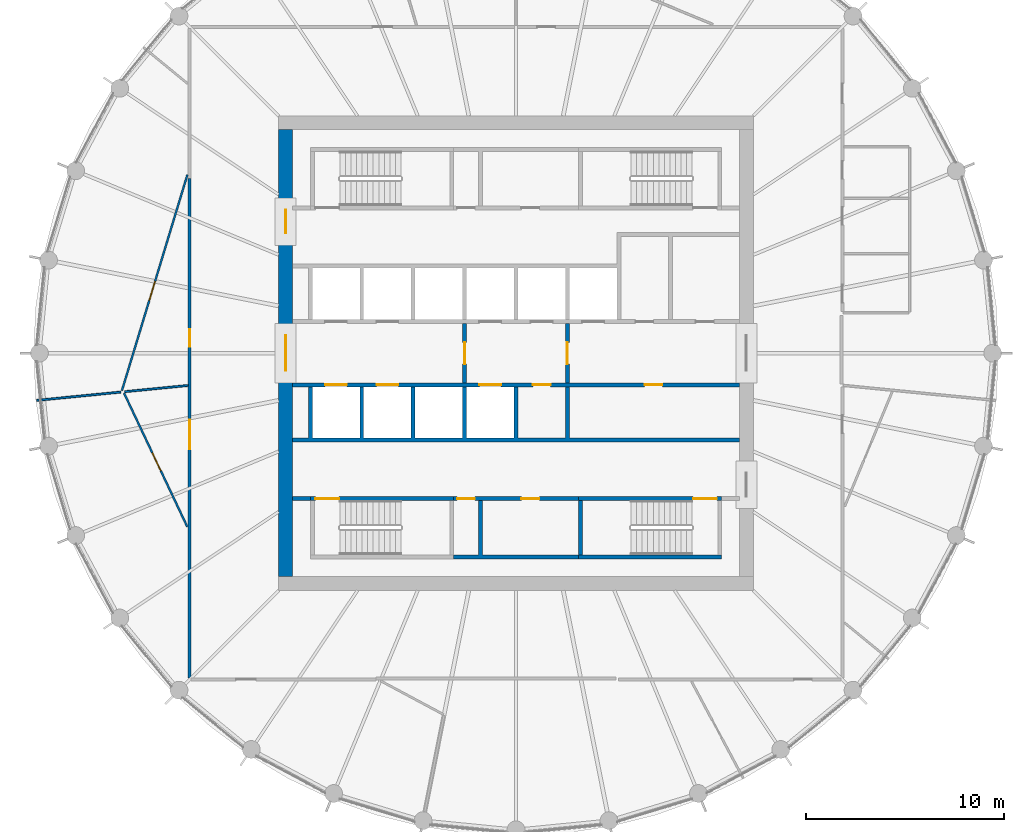
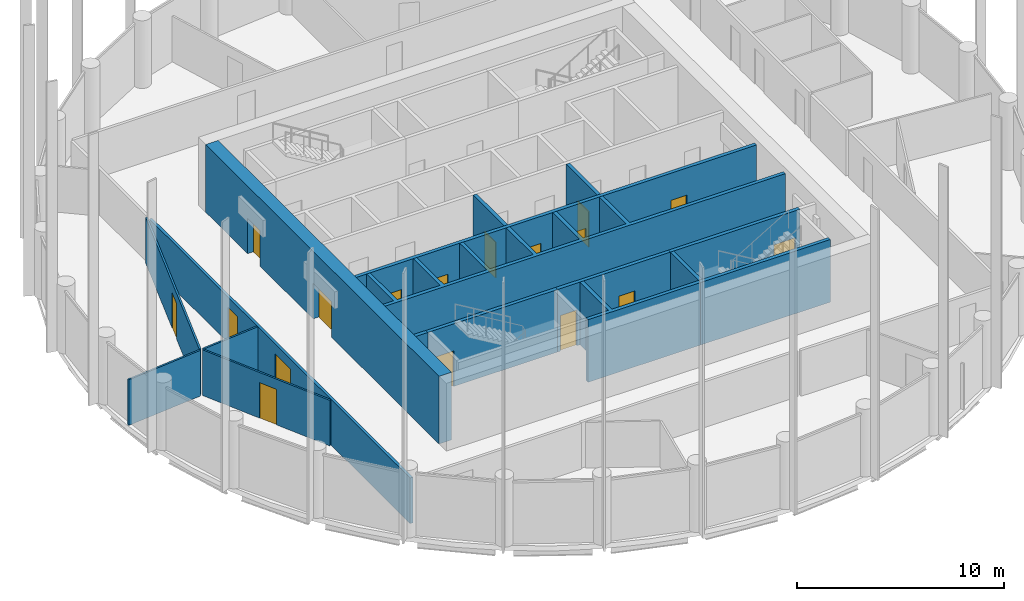
# One storey, part 4 of 7: 17 doors, 17 walls, 17 openings.
"""IFC4 building model written with IfcOpenShell, lengths in metres."""

from ifc_helpers import new_model, si_unit, direction, frame, frame_2d, origin, place, context, subcontext, project, spatial, polyline, rectangle, outline, extrude, material, layer, layer_set, type_object, element, fill, save


model = new_model("IFC4")

# Units and contexts
model_context = context("Model", 3, precision=1e-05, world=origin(), true_north=direction((0.0, 1.0)))
body_context = subcontext(model_context, "Body", "Model", "MODEL_VIEW")
ifc_project = project(units=[si_unit("LENGTHUNIT", "METRE"), si_unit("AREAUNIT", "SQUARE_METRE"), si_unit("VOLUMEUNIT", "CUBIC_METRE"), si_unit("PLANEANGLEUNIT", "RADIAN"), si_unit("MASSUNIT", "GRAM", prefix="KILO")], contexts=[model_context])

# Site, building, storey
site_placement = place(None, origin())
site = spatial("IfcSite", under=ifc_project, at=site_placement, CompositionType="ELEMENT")
building_placement = place(site_placement, origin())
building = spatial("IfcBuilding", under=site, at=building_placement, Name="Corvane Civic Tower", CompositionType="ELEMENT")
storey_placement = place(building_placement, frame((0.0, 0.0, 279.0)))
storey = spatial("IfcBuildingStorey", under=building, at=storey_placement, Name="L66", CompositionType="ELEMENT", Elevation=279.0)

# Wall, openings, doors
ifc_material_1 = material(Name="Concrete C40/50", Category="concrete")
ifc_layer_1 = layer(ifc_material_1, 0.699951171875)
ifc_layer_set_1 = layer_set([ifc_layer_1], Name="Concrete C40/50")
wall_type_1 = type_object("IfcWallType", Name="CORE WALL 700 C40/50", PredefinedType="SHEAR", material=ifc_layer_set_1)
wall_1_placement = place(storey_placement, frame((-11.64990234375, -11.300048828125, 0.0), z_axis=(0.0, 0.0, 1.0), x_axis=(0.0, 1.0, 0.0)))
wall_1 = element("IfcWall", 1, at=wall_1_placement, inside=storey, type_object=wall_type_1, Name="W-L66-core-W", PredefinedType="SHEAR", context=body_context, shape_type="SweptSolid", body=[
    extrude(rectangle(XDim=22.60009765625, YDim=0.699951171875, at=frame_2d((11.300048828125, 0.0))), origin(), (0.0, 0.0, 1.0), 4.0),
])
opening_1_placement = place(wall_1_placement, frame((10.39990234375, 0.0, 0.0)))
opening_1 = element("IfcOpeningElement", 2, at=opening_1_placement, cuts=wall_1, Name="Opening L66.C15", PredefinedType="OPENING", context=body_context, shape_type="SweptSolid", body=[
    extrude(rectangle(XDim=1.800048828125, YDim=2.10009765625, at=frame_2d((0.89990234375, 1.050048828125))), frame((0.0, 0.35986328125, 0.0), z_axis=(0.0, -1.0, 0.0), x_axis=(1.0, 0.0, 0.0)), (0.0, 0.0, 1.0), 0.719970703125),
])
opening_2_placement = place(wall_1_placement, frame((17.35009765625, 0.0, 0.0)))
opening_2 = element("IfcOpeningElement", 3, at=opening_2_placement, cuts=wall_1, Name="Opening L66.C17", PredefinedType="OPENING", context=body_context, shape_type="SweptSolid", body=[
    extrude(rectangle(XDim=1.199951171875, YDim=2.10009765625, at=frame_2d((0.60009765625, 1.050048828125))), frame((0.0, 0.35986328125, 0.0), z_axis=(0.0, -1.0, 0.0), x_axis=(1.0, 0.0, 0.0)), (0.0, 0.0, 1.0), 0.719970703125),
])
ifc_material_2 = material(Name="Steel fire door leaf", Category="steel")
door_type_1 = type_object("IfcDoorType", Name="CR-DOOR-CORE-1800", OperationType="DOUBLE_DOOR_SINGLE_SWING", PredefinedType="DOOR", material=ifc_material_2)
door_1_placement = place(opening_1_placement, origin())
door_1 = element("IfcDoor", 4, at=door_1_placement, inside=storey, type_object=door_type_1, Name="L66 door", OperationType="DOUBLE_DOOR_SINGLE_SWING", OverallHeight=2.10009765625, OverallWidth=1.800048828125, PredefinedType="DOOR", context=body_context, shape_type="SweptSolid", body=[
    extrude(rectangle(XDim=1.800048828125, YDim=2.10009765625, at=frame_2d((0.89990234375, 1.050048828125))), frame((0.0, 0.02490234375, 0.0), z_axis=(0.0, -1.0, 0.0), x_axis=(1.0, 0.0, 0.0)), (0.0, 0.0, 1.0), 0.050048828125),
])
fill(opening_1, door_1)
door_2_placement = place(opening_2_placement, origin())
door_2 = element("IfcDoor", 5, at=door_2_placement, inside=storey, type_object=door_type_1, Name="L66 door", OperationType="DOUBLE_DOOR_SINGLE_SWING", OverallHeight=2.10009765625, OverallWidth=1.199951171875, PredefinedType="DOOR", context=body_context, shape_type="SweptSolid", body=[
    extrude(rectangle(XDim=1.199951171875, YDim=2.10009765625, at=frame_2d((0.60009765625, 1.050048828125))), frame((0.0, 0.02490234375, 0.0), z_axis=(0.0, -1.0, 0.0), x_axis=(1.0, 0.0, 0.0)), (0.0, 0.0, 1.0), 0.050048828125),
])
fill(opening_2, door_2)

ifc_material_3 = material(Name="Concrete C30/37", Category="concrete")
ifc_layer_2 = layer(ifc_material_3, 0.199951171875)
ifc_layer_set_2 = layer_set([ifc_layer_2], Name="Concrete C30/37")
wall_type_2 = type_object("IfcWallType", Name="CR-WALL-200", PredefinedType="PARTITIONING", material=ifc_layer_set_2)
wall_2_placement = place(storey_placement, frame((-3.14990234375, -7.35009765625, 0.0), z_axis=(0.0, 0.0, 1.0), x_axis=(1.0, 0.0, 0.0)))
wall_2 = element("IfcWall", 6, at=wall_2_placement, inside=storey, type_object=wall_type_2, Name="L66 core partition wall", PredefinedType="PARTITIONING", context=body_context, shape_type="SweptSolid", body=[
    extrude(rectangle(XDim=6.2998046875, YDim=0.199951171875, at=frame_2d((3.14990234375, 0.0))), origin(), (0.0, 0.0, 1.0), 3.699951171875),
])
opening_3_placement = place(wall_2_placement, frame((0.175048828125, 0.0, 0.0)))
opening_3 = element("IfcOpeningElement", 7, at=opening_3_placement, cuts=wall_2, Name="Opening L66.C07", PredefinedType="OPENING", context=body_context, shape_type="SweptSolid", body=[
    extrude(rectangle(XDim=0.89990234375, YDim=2.10009765625, at=frame_2d((0.449951171875, 1.050048828125))), frame((0.0, 0.10986328125, 0.0), z_axis=(0.0, -1.0, 0.0), x_axis=(1.0, 0.0, 0.0)), (0.0, 0.0, 1.0), 0.219970703125),
])
opening_4_placement = place(wall_2_placement, frame((3.425048828125, 0.0, 0.0)))
opening_4 = element("IfcOpeningElement", 8, at=opening_4_placement, cuts=wall_2, Name="Opening L66.C08", PredefinedType="OPENING", context=body_context, shape_type="SweptSolid", body=[
    extrude(rectangle(XDim=0.89990234375, YDim=2.10009765625, at=frame_2d((0.449951171875, 1.050048828125))), frame((0.0, 0.10986328125, 0.0), z_axis=(0.0, -1.0, 0.0), x_axis=(1.0, 0.0, 0.0)), (0.0, 0.0, 1.0), 0.219970703125),
])
ifc_material_4 = material(Name="Steel fire door leaf", Category="steel")
door_type_2 = type_object("IfcDoorType", Name="CR-DOOR-900", OperationType="SINGLE_SWING_LEFT", PredefinedType="DOOR", material=ifc_material_4)
door_3_placement = place(opening_3_placement, origin())
door_3 = element("IfcDoor", 9, at=door_3_placement, inside=storey, type_object=door_type_2, Name="L66 door", OperationType="SINGLE_SWING_LEFT", OverallHeight=2.10009765625, OverallWidth=0.89990234375, PredefinedType="DOOR", context=body_context, shape_type="SweptSolid", body=[
    extrude(rectangle(XDim=0.89990234375, YDim=2.10009765625, at=frame_2d((0.449951171875, 1.050048828125))), frame((0.0, 0.02490234375, 0.0), z_axis=(0.0, -1.0, 0.0), x_axis=(1.0, 0.0, 0.0)), (0.0, 0.0, 1.0), 0.050048828125),
])
fill(opening_3, door_3)
door_4_placement = place(opening_4_placement, origin())
door_4 = element("IfcDoor", 10, at=door_4_placement, inside=storey, type_object=door_type_2, Name="L66 door", OperationType="SINGLE_SWING_LEFT", OverallHeight=2.10009765625, OverallWidth=0.89990234375, PredefinedType="DOOR", context=body_context, shape_type="SweptSolid", body=[
    extrude(rectangle(XDim=0.89990234375, YDim=2.10009765625, at=frame_2d((0.449951171875, 1.050048828125))), frame((0.0, 0.02490234375, 0.0), z_axis=(0.0, -1.0, 0.0), x_axis=(1.0, 0.0, 0.0)), (0.0, 0.0, 1.0), 0.050048828125),
])
fill(opening_4, door_4)

wall_3_placement = place(storey_placement, frame((-11.300048828125, -1.60009765625, 0.0), z_axis=(0.0, 0.0, 1.0), x_axis=(1.0, 0.0, 0.0)))
wall_3 = element("IfcWall", 11, at=wall_3_placement, inside=storey, type_object=wall_type_2, Name="L66 lift shaft wall", PredefinedType="PARTITIONING", context=body_context, shape_type="SweptSolid", body=[
    extrude(rectangle(XDim=22.60009765625, YDim=0.199951171875, at=frame_2d((11.300048828125, 0.0))), origin(), (0.0, 0.0, 1.0), 3.699951171875),
])
opening_5_placement = place(wall_3_placement, frame((1.64990234375, 0.0, 0.0)))
opening_5 = element("IfcOpeningElement", 12, at=opening_5_placement, cuts=wall_3, Name="Opening LD", PredefinedType="OPENING", context=body_context, shape_type="SweptSolid", body=[
    extrude(rectangle(XDim=1.10009765625, YDim=2.10009765625, at=frame_2d((0.550048828125, 1.050048828125))), frame((0.0, 0.10986328125, 0.0), z_axis=(0.0, -1.0, 0.0), x_axis=(1.0, 0.0, 0.0)), (0.0, 0.0, 1.0), 0.219970703125),
])
opening_6_placement = place(wall_3_placement, frame((4.25, 0.0, 0.0)))
opening_6 = element("IfcOpeningElement", 13, at=opening_6_placement, cuts=wall_3, Name="Opening LD", PredefinedType="OPENING", context=body_context, shape_type="SweptSolid", body=[
    extrude(rectangle(XDim=1.10009765625, YDim=2.10009765625, at=frame_2d((0.550048828125, 1.050048828125))), frame((0.0, 0.10986328125, 0.0), z_axis=(0.0, -1.0, 0.0), x_axis=(1.0, 0.0, 0.0)), (0.0, 0.0, 1.0), 0.219970703125),
])
opening_7_placement = place(wall_3_placement, frame((9.449951171875, 0.0, 0.0)))
opening_7 = element("IfcOpeningElement", 14, at=opening_7_placement, cuts=wall_3, Name="Opening LD", PredefinedType="OPENING", context=body_context, shape_type="SweptSolid", body=[
    extrude(rectangle(XDim=1.10009765625, YDim=2.10009765625, at=frame_2d((0.550048828125, 1.050048828125))), frame((0.0, 0.10986328125, 0.0), z_axis=(0.0, -1.0, 0.0), x_axis=(1.0, 0.0, 0.0)), (0.0, 0.0, 1.0), 0.219970703125),
])
opening_8_placement = place(wall_3_placement, frame((12.14990234375, 0.0, 0.0)))
opening_8 = element("IfcOpeningElement", 15, at=opening_8_placement, cuts=wall_3, Name="Opening L66.C03", PredefinedType="OPENING", context=body_context, shape_type="SweptSolid", body=[
    extrude(rectangle(XDim=0.89990234375, YDim=2.10009765625, at=frame_2d((0.449951171875, 1.050048828125))), frame((0.0, 0.10986328125, 0.0), z_axis=(0.0, -1.0, 0.0), x_axis=(1.0, 0.0, 0.0)), (0.0, 0.0, 1.0), 0.219970703125),
])
opening_9_placement = place(wall_3_placement, frame((17.800048828125, 0.0, 0.0)))
opening_9 = element("IfcOpeningElement", 16, at=opening_9_placement, cuts=wall_3, Name="Opening L66.C04", PredefinedType="OPENING", context=body_context, shape_type="SweptSolid", body=[
    extrude(rectangle(XDim=0.89990234375, YDim=2.10009765625, at=frame_2d((0.449951171875, 1.050048828125))), frame((0.0, 0.10986328125, 0.0), z_axis=(0.0, -1.0, 0.0), x_axis=(1.0, 0.0, 0.0)), (0.0, 0.0, 1.0), 0.219970703125),
])
door_5_placement = place(opening_8_placement, origin())
door_5 = element("IfcDoor", 17, at=door_5_placement, inside=storey, type_object=door_type_2, Name="L66 door", OperationType="SINGLE_SWING_LEFT", OverallHeight=2.10009765625, OverallWidth=0.89990234375, PredefinedType="DOOR", context=body_context, shape_type="SweptSolid", body=[
    extrude(rectangle(XDim=0.89990234375, YDim=2.10009765625, at=frame_2d((0.449951171875, 1.050048828125))), frame((0.0, 0.02490234375, 0.0), z_axis=(0.0, -1.0, 0.0), x_axis=(1.0, 0.0, 0.0)), (0.0, 0.0, 1.0), 0.050048828125),
])
fill(opening_8, door_5)
door_6_placement = place(opening_9_placement, origin())
door_6 = element("IfcDoor", 18, at=door_6_placement, inside=storey, type_object=door_type_2, Name="L66 door", OperationType="SINGLE_SWING_LEFT", OverallHeight=2.10009765625, OverallWidth=0.89990234375, PredefinedType="DOOR", context=body_context, shape_type="SweptSolid", body=[
    extrude(rectangle(XDim=0.89990234375, YDim=2.10009765625, at=frame_2d((0.449951171875, 1.050048828125))), frame((0.0, 0.02490234375, 0.0), z_axis=(0.0, -1.0, 0.0), x_axis=(1.0, 0.0, 0.0)), (0.0, 0.0, 1.0), 0.050048828125),
])
fill(opening_9, door_6)
ifc_material_5 = material(Name="Stainless steel 316 door leaves", Category="steel")
door_type_3 = type_object("IfcDoorType", Name="LD", OperationType="DOUBLE_DOOR_SLIDING", PredefinedType="DOOR", material=ifc_material_5)
door_7_placement = place(opening_5_placement, origin())
door_7 = element("IfcDoor", 19, at=door_7_placement, inside=storey, type_object=door_type_3, Name="L66 landing door", OperationType="DOUBLE_DOOR_SLIDING", OverallHeight=2.10009765625, OverallWidth=1.10009765625, PredefinedType="DOOR", context=body_context, shape_type="SweptSolid", body=[
    extrude(rectangle(XDim=1.10009765625, YDim=2.10009765625, at=frame_2d((0.550048828125, 1.050048828125))), frame((0.0, 0.02490234375, 0.0), z_axis=(0.0, -1.0, 0.0), x_axis=(1.0, 0.0, 0.0)), (0.0, 0.0, 1.0), 0.050048828125),
])
fill(opening_5, door_7)
door_8_placement = place(opening_6_placement, origin())
door_8 = element("IfcDoor", 20, at=door_8_placement, inside=storey, type_object=door_type_3, Name="L66 landing door", OperationType="DOUBLE_DOOR_SLIDING", OverallHeight=2.10009765625, OverallWidth=1.10009765625, PredefinedType="DOOR", context=body_context, shape_type="SweptSolid", body=[
    extrude(rectangle(XDim=1.10009765625, YDim=2.10009765625, at=frame_2d((0.550048828125, 1.050048828125))), frame((0.0, 0.02490234375, 0.0), z_axis=(0.0, -1.0, 0.0), x_axis=(1.0, 0.0, 0.0)), (0.0, 0.0, 1.0), 0.050048828125),
])
fill(opening_6, door_8)
door_9_placement = place(opening_7_placement, origin())
door_9 = element("IfcDoor", 21, at=door_9_placement, inside=storey, type_object=door_type_3, Name="L66 landing door", OperationType="DOUBLE_DOOR_SLIDING", OverallHeight=2.10009765625, OverallWidth=1.10009765625, PredefinedType="DOOR", context=body_context, shape_type="SweptSolid", body=[
    extrude(rectangle(XDim=1.10009765625, YDim=2.10009765625, at=frame_2d((0.550048828125, 1.050048828125))), frame((0.0, 0.02490234375, 0.0), z_axis=(0.0, -1.0, 0.0), x_axis=(1.0, 0.0, 0.0)), (0.0, 0.0, 1.0), 0.050048828125),
])
fill(opening_7, door_9)

# Wall, opening, door
wall_4_placement = place(storey_placement, frame((-2.60009765625, -1.5, 0.0), z_axis=(0.0, 0.0, 1.0), x_axis=(0.0, 1.0, 0.0)))
wall_4 = element("IfcWall", 22, at=wall_4_placement, inside=storey, type_object=wall_type_2, Name="L66 firefighting lobby wall", PredefinedType="PARTITIONING", context=body_context, shape_type="SweptSolid", body=[
    extrude(rectangle(XDim=3.0, YDim=0.199951171875, at=frame_2d((1.5, 0.0))), origin(), (0.0, 0.0, 1.0), 3.699951171875),
])
opening_10_placement = place(wall_4_placement, frame((0.949951171875, 0.0, 0.0)))
opening_10 = element("IfcOpeningElement", 23, at=opening_10_placement, cuts=wall_4, Name="Opening L66.C13", PredefinedType="OPENING", context=body_context, shape_type="SweptSolid", body=[
    extrude(rectangle(XDim=1.10009765625, YDim=2.10009765625, at=frame_2d((0.550048828125, 1.050048828125))), frame((0.0, 0.10986328125, 0.0), z_axis=(0.0, -1.0, 0.0), x_axis=(1.0, 0.0, 0.0)), (0.0, 0.0, 1.0), 0.219970703125),
])
ifc_material_6 = material(Name="Steel fire door leaf", Category="steel")
door_type_4 = type_object("IfcDoorType", Name="CR-DOOR-FFL-1100", OperationType="SINGLE_SWING_LEFT", PredefinedType="DOOR", material=ifc_material_6)
door_10_placement = place(opening_10_placement, origin())
door_10 = element("IfcDoor", 24, at=door_10_placement, inside=storey, type_object=door_type_4, Name="L66 lobby door", OperationType="SINGLE_SWING_LEFT", OverallHeight=2.10009765625, OverallWidth=1.10009765625, PredefinedType="DOOR", context=body_context, shape_type="SweptSolid", body=[
    extrude(rectangle(XDim=1.10009765625, YDim=2.10009765625, at=frame_2d((0.550048828125, 1.050048828125))), frame((0.0, 0.02490234375, 0.0), z_axis=(0.0, -1.0, 0.0), x_axis=(1.0, 0.0, 0.0)), (0.0, 0.0, 1.0), 0.050048828125),
])
fill(opening_10, door_10)

wall_5_placement = place(storey_placement, frame((2.60009765625, -1.5, 0.0), z_axis=(0.0, 0.0, 1.0), x_axis=(0.0, 1.0, 0.0)))
wall_5 = element("IfcWall", 25, at=wall_5_placement, inside=storey, type_object=wall_type_2, Name="L66 firefighting lobby wall", PredefinedType="PARTITIONING", context=body_context, shape_type="SweptSolid", body=[
    extrude(rectangle(XDim=3.0, YDim=0.199951171875, at=frame_2d((1.5, 0.0))), origin(), (0.0, 0.0, 1.0), 3.699951171875),
])
opening_11_placement = place(wall_5_placement, frame((0.949951171875, 0.0, 0.0)))
opening_11 = element("IfcOpeningElement", 26, at=opening_11_placement, cuts=wall_5, Name="Opening L66.C14", PredefinedType="OPENING", context=body_context, shape_type="SweptSolid", body=[
    extrude(rectangle(XDim=1.10009765625, YDim=2.10009765625, at=frame_2d((0.550048828125, 1.050048828125))), frame((0.0, 0.10986328125, 0.0), z_axis=(0.0, -1.0, 0.0), x_axis=(1.0, 0.0, 0.0)), (0.0, 0.0, 1.0), 0.219970703125),
])
door_11_placement = place(opening_11_placement, origin())
door_11 = element("IfcDoor", 27, at=door_11_placement, inside=storey, type_object=door_type_4, Name="L66 lobby door", OperationType="SINGLE_SWING_LEFT", OverallHeight=2.10009765625, OverallWidth=1.10009765625, PredefinedType="DOOR", context=body_context, shape_type="SweptSolid", body=[
    extrude(rectangle(XDim=1.10009765625, YDim=2.10009765625, at=frame_2d((0.550048828125, 1.050048828125))), frame((0.0, 0.02490234375, 0.0), z_axis=(0.0, -1.0, 0.0), x_axis=(1.0, 0.0, 0.0)), (0.0, 0.0, 1.0), 0.050048828125),
])
fill(opening_11, door_11)

# Walls
wall_6_placement = place(storey_placement, origin())
element("IfcWall", 28, at=wall_6_placement, inside=storey, type_object=wall_type_2, Name="L66 core partition wall", PredefinedType="PARTITIONING", context=body_context, shape_type="SweptSolid", body=[
    extrude(outline(polyline([(-10.39990234375, -7.449951171875), (-11.300048828125, -7.449951171875), (-11.300048828125, -7.25), (-10.39990234375, -7.25), (-10.39990234375, -7.449951171875)])), origin(), (0.0, 0.0, 1.0), 3.699951171875),
])
wall_7_placement = place(storey_placement, origin())
element("IfcWall", 29, at=wall_7_placement, inside=storey, type_object=wall_type_2, Name="L66 core partition wall", PredefinedType="PARTITIONING", context=body_context, shape_type="SweptSolid", body=[
    extrude(outline(polyline([(-10.300048828125, -1.699951171875), (-10.300048828125, -4.300048828125), (-7.89990234375, -4.300048828125), (-7.89990234375, -1.699951171875), (-7.699951171875, -1.699951171875), (-7.699951171875, -4.300048828125), (-5.300048828125, -4.300048828125), (-5.300048828125, -1.699951171875), (-5.10009765625, -1.699951171875), (-5.10009765625, -4.300048828125), (-2.699951171875, -4.300048828125), (-2.699951171875, -1.699951171875), (-2.5, -1.699951171875), (-2.5, -4.300048828125), (-0.10009765625, -4.300048828125), (-0.10009765625, -1.699951171875), (0.10009765625, -1.699951171875), (0.10009765625, -4.300048828125), (2.5, -4.300048828125), (2.5, -1.699951171875), (2.699951171875, -1.699951171875), (2.699951171875, -4.300048828125), (11.300048828125, -4.300048828125), (11.300048828125, -4.5), (-11.300048828125, -4.5), (-11.300048828125, -4.300048828125), (-10.5, -4.300048828125), (-10.5, -1.699951171875), (-10.300048828125, -1.699951171875)])), origin(), (0.0, 0.0, 1.0), 3.699951171875),
])
wall_8_placement = place(storey_placement, origin())
element("IfcWall", 30, at=wall_8_placement, inside=storey, type_object=wall_type_2, Name="L66 core partition wall", PredefinedType="PARTITIONING", context=body_context, shape_type="SweptSolid", body=[
    extrude(outline(polyline([(-1.699951171875, -7.449951171875), (-1.699951171875, -10.199951171875), (3.14990234375, -10.199951171875), (3.14990234375, -10.39990234375), (-3.14990234375, -10.39990234375), (-3.14990234375, -10.199951171875), (-1.89990234375, -10.199951171875), (-1.89990234375, -7.449951171875), (-1.699951171875, -7.449951171875)])), origin(), (0.0, 0.0, 1.0), 3.699951171875),
])

# Wall, opening, door
ifc_material_7 = material(Name="Plasterboard")
ifc_layer_3 = layer(ifc_material_7, 0.10009765625)
ifc_layer_set_3 = layer_set([ifc_layer_3], Name="Plasterboard")
wall_type_3 = type_object("IfcWallType", Name="Partition 100 plasterboard on studs", PredefinedType="PARTITIONING", material=ifc_layer_set_3)
wall_9_placement = place(storey_placement, frame((-19.818603515625, -2.01904296875, 0.0), z_axis=(0.0, 0.0, 1.0), x_axis=(0.427564392519, -0.903984894923, 0.0)))
wall_9 = element("IfcWall", 31, at=wall_9_placement, inside=storey, type_object=wall_type_3, Name="Partition L66.010", PredefinedType="PARTITIONING", context=body_context, shape_type="SweptSolid", body=[
    extrude(rectangle(XDim=7.480712890625, YDim=0.10009765625, at=frame_2d((3.740234375, 0.0))), origin(), (0.0, 0.0, 1.0), 2.699951171875),
])
opening_12_placement = place(wall_9_placement, frame((3.345458984375, 0.0, 0.0)))
opening_12 = element("IfcOpeningElement", 32, at=opening_12_placement, cuts=wall_9, Name="Opening L66.010", PredefinedType="OPENING", context=body_context, shape_type="SweptSolid", body=[
    extrude(rectangle(XDim=1.0, YDim=2.10009765625, at=frame_2d((0.5, 1.050048828125))), frame((0.0, 0.06005859375, 0.0), z_axis=(0.0, -1.0, 0.0), x_axis=(1.0, 0.0, 0.0)), (0.0, 0.0, 1.0), 0.1201171875),
])
ifc_material_8 = material(Name="Timber", Category="wood")
door_type_5 = type_object("IfcDoorType", Name="Single door 1000", OperationType="NOTDEFINED", PredefinedType="DOOR", material=ifc_material_8)
door_12_placement = place(opening_12_placement, frame((1.0, 0.0, 0.0), z_axis=(0.0, 0.0, 1.0), x_axis=(-1.0, 0.0, 0.0)))
door_12 = element("IfcDoor", 33, at=door_12_placement, inside=storey, type_object=door_type_5, Name="Door L66.010", OperationType="SINGLE_SWING_LEFT", OverallHeight=2.10009765625, OverallWidth=1.0, PredefinedType="DOOR", context=body_context, shape_type="SweptSolid", body=[
    extrude(rectangle(XDim=1.0, YDim=2.10009765625, at=frame_2d((0.5, 1.050048828125))), frame((0.0, 0.02490234375, 0.0), z_axis=(0.0, -1.0, 0.0), x_axis=(1.0, 0.0, 0.0)), (0.0, 0.0, 1.0), 0.050048828125),
])
fill(opening_12, door_12)

# Walls
wall_10_placement = place(storey_placement, frame((-24.23291015625, -2.38671875, 0.0), z_axis=(0.0, 0.0, 1.0), x_axis=(0.995186081204, 0.098003386566, 0.0)))
element("IfcWall", 34, at=wall_10_placement, inside=storey, type_object=wall_type_3, Name="Partition L66.012", PredefinedType="PARTITIONING", context=body_context, shape_type="SweptSolid", body=[
    extrude(rectangle(XDim=4.269775390625, YDim=0.10009765625, at=frame_2d((2.134765625, 0.0))), origin(), (0.0, 0.0, 1.0), 2.699951171875),
])
wall_11_placement = place(storey_placement, frame((-19.7841796875, -1.948486328125, 0.0), z_axis=(0.0, 0.0, 1.0), x_axis=(0.995189900222, 0.097964598178, 0.0)))
element("IfcWall", 35, at=wall_11_placement, inside=storey, type_object=wall_type_3, Name="Partition L66.014", PredefinedType="PARTITIONING", context=body_context, shape_type="SweptSolid", body=[
    extrude(rectangle(XDim=3.2197265625, YDim=0.10009765625, at=frame_2d((1.60986328125, 0.0))), origin(), (0.0, 0.0, 1.0), 2.699951171875),
])

# Wall, opening, door
wall_12_placement = place(storey_placement, frame((-19.9267578125, -1.89306640625, 0.0), z_axis=(0.0, 0.0, 1.0), x_axis=(0.290280688958, 0.95694154556, 0.0)))
wall_12 = element("IfcWall", 36, at=wall_12_placement, inside=storey, type_object=wall_type_3, Name="Partition L66.015", PredefinedType="PARTITIONING", context=body_context, shape_type="SweptSolid", body=[
    extrude(rectangle(XDim=11.404541015625, YDim=0.10009765625, at=frame_2d((5.7021484375, 0.0))), origin(), (0.0, 0.0, 1.0), 2.699951171875),
])
opening_13_placement = place(wall_12_placement, frame((4.76708984375, 0.0, 0.0)))
opening_13 = element("IfcOpeningElement", 37, at=opening_13_placement, cuts=wall_12, Name="Opening L66.012", PredefinedType="OPENING", context=body_context, shape_type="SweptSolid", body=[
    extrude(rectangle(XDim=1.0, YDim=2.10009765625, at=frame_2d((0.5, 1.050048828125))), frame((0.0, 0.06005859375, 0.0), z_axis=(0.0, -1.0, 0.0), x_axis=(1.0, 0.0, 0.0)), (0.0, 0.0, 1.0), 0.1201171875),
])
door_13_placement = place(opening_13_placement, origin())
door_13 = element("IfcDoor", 38, at=door_13_placement, inside=storey, type_object=door_type_5, Name="Door L66.012", OperationType="SINGLE_SWING_LEFT", OverallHeight=2.10009765625, OverallWidth=1.0, PredefinedType="DOOR", context=body_context, shape_type="SweptSolid", body=[
    extrude(rectangle(XDim=1.0, YDim=2.10009765625, at=frame_2d((0.5, 1.050048828125))), frame((0.0, 0.02490234375, 0.0), z_axis=(0.0, -1.0, 0.0), x_axis=(1.0, 0.0, 0.0)), (0.0, 0.0, 1.0), 0.050048828125),
])
fill(opening_13, door_13)

ifc_material_9 = material(Name="Concrete C50/60", Category="concrete")
ifc_layer_4 = layer(ifc_material_9, 0.199951171875)
ifc_layer_set_4 = layer_set([ifc_layer_4], Name="Concrete C50/60")
wall_type_4 = type_object("IfcWallType", Name="ST-WALL-200", PredefinedType="SHEAR", material=ifc_layer_set_4)
wall_13_placement = place(storey_placement, frame((-10.39990234375, -7.35009765625, 0.0), z_axis=(0.0, 0.0, 1.0), x_axis=(1.0, 0.0, 0.0)))
wall_13 = element("IfcWall", 39, at=wall_13_placement, inside=storey, type_object=wall_type_4, Name="L66 stair enclosure wall", PredefinedType="SHEAR", context=body_context, shape_type="SweptSolid", body=[
    extrude(rectangle(XDim=7.25, YDim=0.199951171875, at=frame_2d((3.625, 0.0))), origin(), (0.0, 0.0, 1.0), 3.699951171875),
])
opening_14_placement = place(wall_13_placement, frame((0.25, 0.0, 0.0)))
opening_14 = element("IfcOpeningElement", 40, at=opening_14_placement, cuts=wall_13, Name="Opening L66.C12", PredefinedType="OPENING", context=body_context, shape_type="SweptSolid", body=[
    extrude(rectangle(XDim=1.199951171875, YDim=2.10009765625, at=frame_2d((0.60009765625, 1.050048828125))), frame((0.0, 0.10986328125, 0.0), z_axis=(0.0, -1.0, 0.0), x_axis=(1.0, 0.0, 0.0)), (0.0, 0.0, 1.0), 0.219970703125),
])
ifc_material_10 = material(Name="Steel fire door leaf", Category="steel")
door_type_6 = type_object("IfcDoorType", Name="ST-DOOR-1200", OperationType="SINGLE_SWING_RIGHT", PredefinedType="DOOR", material=ifc_material_10)
door_14_placement = place(opening_14_placement, origin())
door_14 = element("IfcDoor", 41, at=door_14_placement, inside=storey, type_object=door_type_6, Name="L66 stair door", OperationType="SINGLE_SWING_RIGHT", OverallHeight=2.10009765625, OverallWidth=1.199951171875, PredefinedType="DOOR", context=body_context, shape_type="SweptSolid", body=[
    extrude(rectangle(XDim=1.199951171875, YDim=2.10009765625, at=frame_2d((0.60009765625, 1.050048828125))), frame((0.0, 0.02490234375, 0.0), z_axis=(0.0, -1.0, 0.0), x_axis=(1.0, 0.0, 0.0)), (0.0, 0.0, 1.0), 0.050048828125),
])
fill(opening_14, door_14)

wall_14_placement = place(storey_placement, frame((3.14990234375, -7.35009765625, 0.0), z_axis=(0.0, 0.0, 1.0), x_axis=(1.0, 0.0, 0.0)))
wall_14 = element("IfcWall", 42, at=wall_14_placement, inside=storey, type_object=wall_type_4, Name="L66 stair enclosure wall", PredefinedType="SHEAR", context=body_context, shape_type="SweptSolid", body=[
    extrude(rectangle(XDim=7.25, YDim=0.199951171875, at=frame_2d((3.625, 0.0))), origin(), (0.0, 0.0, 1.0), 3.699951171875),
])
opening_15_placement = place(wall_14_placement, frame((5.800048828125, 0.0, 0.0)))
opening_15 = element("IfcOpeningElement", 43, at=opening_15_placement, cuts=wall_14, Name="Opening L66.C11", PredefinedType="OPENING", context=body_context, shape_type="SweptSolid", body=[
    extrude(rectangle(XDim=1.199951171875, YDim=2.10009765625, at=frame_2d((0.60009765625, 1.050048828125))), frame((0.0, 0.10986328125, 0.0), z_axis=(0.0, -1.0, 0.0), x_axis=(1.0, 0.0, 0.0)), (0.0, 0.0, 1.0), 0.219970703125),
])
door_15_placement = place(opening_15_placement, origin())
door_15 = element("IfcDoor", 44, at=door_15_placement, inside=storey, type_object=door_type_6, Name="L66 stair door", OperationType="SINGLE_SWING_RIGHT", OverallHeight=2.10009765625, OverallWidth=1.199951171875, PredefinedType="DOOR", context=body_context, shape_type="SweptSolid", body=[
    extrude(rectangle(XDim=1.199951171875, YDim=2.10009765625, at=frame_2d((0.60009765625, 1.050048828125))), frame((0.0, 0.02490234375, 0.0), z_axis=(0.0, -1.0, 0.0), x_axis=(1.0, 0.0, 0.0)), (0.0, 0.0, 1.0), 0.050048828125),
])
fill(opening_15, door_15)

# Walls
wall_15_placement = place(storey_placement, origin())
element("IfcWall", 45, at=wall_15_placement, inside=storey, type_object=wall_type_4, Name="L66 stair enclosure wall", PredefinedType="SHEAR", context=body_context, shape_type="SweptSolid", body=[
    extrude(outline(polyline([(10.39990234375, -10.39990234375), (3.14990234375, -10.39990234375), (3.14990234375, -10.199951171875), (10.39990234375, -10.199951171875), (10.39990234375, -10.39990234375)])), origin(), (0.0, 0.0, 1.0), 3.699951171875),
])
wall_16_placement = place(storey_placement, origin())
element("IfcWall", 46, at=wall_16_placement, inside=storey, type_object=wall_type_4, Name="L66 stair enclosure wall", PredefinedType="SHEAR", context=body_context, shape_type="SweptSolid", body=[
    extrude(outline(polyline([(3.35009765625, -7.449951171875), (3.35009765625, -10.199951171875), (3.14990234375, -10.199951171875), (3.14990234375, -7.449951171875), (3.35009765625, -7.449951171875)])), origin(), (0.0, 0.0, 1.0), 3.699951171875),
])

# Wall, openings, doors
ifc_material_11 = material(Name="Plasterboard")
ifc_layer_5 = layer(ifc_material_11, 0.14990234375)
ifc_layer_set_5 = layer_set([ifc_layer_5], Name="Plasterboard")
wall_type_5 = type_object("IfcWallType", Name="Tenancy wall 150 EI 60", PredefinedType="PARTITIONING", material=ifc_layer_set_5)
wall_17_placement = place(storey_placement, frame((-16.5, -16.425048828125, 0.0), z_axis=(0.0, 0.0, 1.0), x_axis=(0.0, 1.0, 0.0)))
wall_17 = element("IfcWall", 47, at=wall_17_placement, inside=storey, type_object=wall_type_5, Name="Partition L66.007", PredefinedType="PARTITIONING", context=body_context, shape_type="SweptSolid", body=[
    extrude(rectangle(XDim=25.24951171875, YDim=0.14990234375, at=frame_2d((12.624755859375, 0.0))), origin(), (0.0, 0.0, 1.0), 2.699951171875),
])
opening_16_placement = place(wall_17_placement, frame((11.560791015625, 0.0, 0.0)))
opening_16 = element("IfcOpeningElement", 48, at=opening_16_placement, cuts=wall_17, Name="Opening L66.011", PredefinedType="OPENING", context=body_context, shape_type="SweptSolid", body=[
    extrude(rectangle(XDim=1.5, YDim=2.10009765625, at=frame_2d((0.75, 1.050048828125))), frame((0.0, 0.0849609375, 0.0), z_axis=(0.0, -1.0, 0.0), x_axis=(1.0, 0.0, 0.0)), (0.0, 0.0, 1.0), 0.169921875),
])
opening_17_placement = place(wall_17_placement, frame((16.738525390625, 0.0, 0.0)))
opening_17 = element("IfcOpeningElement", 49, at=opening_17_placement, cuts=wall_17, Name="Opening L66.013", PredefinedType="OPENING", context=body_context, shape_type="SweptSolid", body=[
    extrude(rectangle(XDim=0.89990234375, YDim=2.10009765625, at=frame_2d((0.449951171875, 1.050048828125))), frame((0.0, 0.0849609375, 0.0), z_axis=(0.0, -1.0, 0.0), x_axis=(1.0, 0.0, 0.0)), (0.0, 0.0, 1.0), 0.169921875),
])
ifc_material_12 = material(Name="Steel and timber", Category="steel")
door_type_7 = type_object("IfcDoorType", Name="Fire door FD30S 900", OperationType="NOTDEFINED", PredefinedType="DOOR", material=ifc_material_12)
door_16_placement = place(opening_17_placement, origin())
door_16 = element("IfcDoor", 50, at=door_16_placement, inside=storey, type_object=door_type_7, Name="Door L66.013", OperationType="SINGLE_SWING_LEFT", OverallHeight=2.10009765625, OverallWidth=0.89990234375, PredefinedType="DOOR", context=body_context, shape_type="SweptSolid", body=[
    extrude(rectangle(XDim=0.89990234375, YDim=2.10009765625, at=frame_2d((0.449951171875, 1.050048828125))), frame((0.0, 0.02490234375, 0.0), z_axis=(0.0, -1.0, 0.0), x_axis=(1.0, 0.0, 0.0)), (0.0, 0.0, 1.0), 0.050048828125),
])
fill(opening_17, door_16)
ifc_material_13 = material(Name="Steel and timber", Category="steel")
door_type_8 = type_object("IfcDoorType", Name="Fire door FD60 double 1500", OperationType="NOTDEFINED", PredefinedType="DOOR", material=ifc_material_13)
door_17_placement = place(opening_16_placement, origin())
door_17 = element("IfcDoor", 51, at=door_17_placement, inside=storey, type_object=door_type_8, Name="Door L66.011", OperationType="DOUBLE_DOOR_SINGLE_SWING", OverallHeight=2.10009765625, OverallWidth=1.5, PredefinedType="DOOR", context=body_context, shape_type="SweptSolid", body=[
    extrude(rectangle(XDim=1.5, YDim=2.10009765625, at=frame_2d((0.75, 1.050048828125))), frame((0.0, 0.02490234375, 0.0), z_axis=(0.0, -1.0, 0.0), x_axis=(1.0, 0.0, 0.0)), (0.0, 0.0, 1.0), 0.050048828125),
])
fill(opening_16, door_17)

save(model, "model.ifc")
